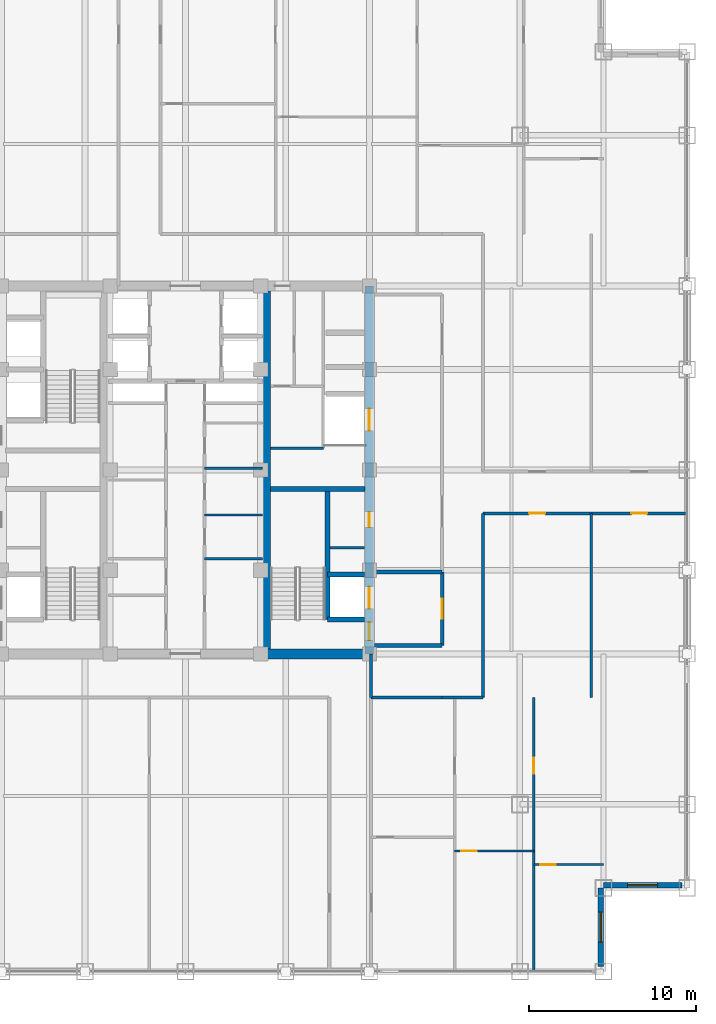
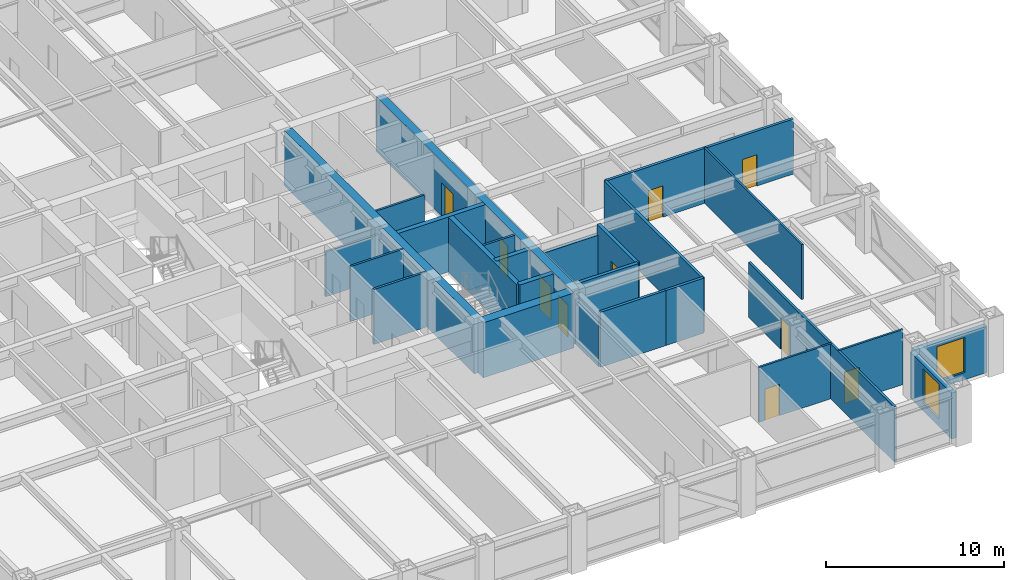
# One storey, part 21 of 25: 26 walls, 10 doors, 2 windows, 12 openings.
"""IFC4 building model written with IfcOpenShell, lengths in metres."""

from ifc_helpers import new_model, si_unit, direction, frame, frame_2d, origin, place, context, subcontext, project, spatial, rectangle, extrude, source, transform, mapped, material, layer, layer_set, type_object, element, fill, save


model = new_model("IFC4")

# Units and contexts
model_context = context("Model", 3, precision=1e-05, world=origin(), true_north=direction((0.0, 1.0)))
body_context = subcontext(model_context, "Body", "Model", "MODEL_VIEW")
ifc_project = project(units=[si_unit("LENGTHUNIT", "METRE"), si_unit("AREAUNIT", "SQUARE_METRE"), si_unit("VOLUMEUNIT", "CUBIC_METRE"), si_unit("PLANEANGLEUNIT", "RADIAN"), si_unit("MASSUNIT", "GRAM", prefix="KILO")], contexts=[model_context])

# Site, building, storey
site_placement = place(None, origin())
site = spatial("IfcSite", under=ifc_project, at=site_placement, CompositionType="ELEMENT")
building_placement = place(site_placement, origin())
building = spatial("IfcBuilding", under=site, at=building_placement, Name="Khorayat Bourse Tower", CompositionType="ELEMENT")
storey_placement = place(building_placement, frame((0.0, 0.0, 247.10009765625)))
storey = spatial("IfcBuildingStorey", under=building, at=storey_placement, Name="L58", CompositionType="ELEMENT", Elevation=247.10009765625)

# Wall
ifc_material_1 = material(Name="Concrete C52/65", Category="concrete")
ifc_layer_1 = layer(ifc_material_1, 0.5)
ifc_layer_set_1 = layer_set([ifc_layer_1], Name="Concrete C52/65")
wall_type_1 = type_object("IfcWallType", Name="WAL-CORE-500", PredefinedType="SHEAR", material=ifc_layer_set_1)
shared_shape_1 = source(origin(), body_context, "Body", "SweptSolid", [
    extrude(rectangle(XDim=21.39990234375, YDim=0.5, at=frame_2d((10.699951171875, 0.0))), origin(), (0.0, 0.0, 1.0), 3.77978515625),
])
wall_1_placement = place(storey_placement, frame((4.85009765625, -10.699951171875, 0.0), z_axis=(0.0, 0.0, 1.0), x_axis=(0.0, 1.0, 0.0)))
element("IfcWall", 1, at=wall_1_placement, inside=storey, type_object=wall_type_1, Name="L58 Core Shear Wall PIER-E", PredefinedType="SHEAR", context=body_context, shape_type="MappedRepresentation", body=[
    mapped(shared_shape_1, transform((0.0, 0.0, 0.0), scale=1.0)),
])

# Wall, openings, doors
shared_shape_2 = source(origin(), body_context, "Body", "SweptSolid", [
    extrude(rectangle(XDim=22.0, YDim=0.5, at=frame_2d((11.0, 0.0))), origin(), (0.0, 0.0, 1.0), 3.77978515625),
])
wall_2_placement = place(storey_placement, frame((11.0, -11.0, 0.0), z_axis=(0.0, 0.0, 1.0), x_axis=(0.0, 1.0, 0.0)))
wall_2 = element("IfcWall", 2, at=wall_2_placement, inside=storey, type_object=wall_type_1, Name="L58 Core Shear Wall CORE-E", PredefinedType="SHEAR", context=body_context, shape_type="MappedRepresentation", body=[
    mapped(shared_shape_2, transform((0.0, 0.0, 0.0), scale=1.0)),
])
shared_shape_3 = source(origin(), body_context, "Body", "SweptSolid", [
    extrude(rectangle(XDim=1.10009765625, YDim=2.199951171875, at=frame_2d((0.550048828125, 1.10009765625))), frame((0.0, 0.260009765625, 0.0), z_axis=(0.0, -1.0, 0.0), x_axis=(1.0, 0.0, 0.0)), (0.0, 0.0, 1.0), 0.52001953125),
])
opening_1_placement = place(wall_2_placement, frame((0.800048828125, 0.0, 0.0)))
opening_1 = element("IfcOpeningElement", 3, at=opening_1_placement, cuts=wall_2, Name="Opening DI-01", PredefinedType="OPENING", context=body_context, shape_type="MappedRepresentation", body=[
    mapped(shared_shape_3, transform((0.0, 0.0, 0.0), scale=1.0)),
])
shared_shape_4 = source(origin(), body_context, "Body", "SweptSolid", [
    extrude(rectangle(XDim=0.89990234375, YDim=2.14990234375, at=frame_2d((0.449951171875, 1.074951171875))), frame((0.0, 0.260009765625, 0.0), z_axis=(0.0, -1.0, 0.0), x_axis=(1.0, 0.0, 0.0)), (0.0, 0.0, 1.0), 0.52001953125),
])
opening_2_placement = place(wall_2_placement, frame((7.574951171875, 0.0, 0.0)))
opening_2 = element("IfcOpeningElement", 4, at=opening_2_placement, cuts=wall_2, Name="Opening DI-06", PredefinedType="OPENING", context=body_context, shape_type="MappedRepresentation", body=[
    mapped(shared_shape_4, transform((0.0, 0.0, 0.0), scale=1.0)),
])
shared_shape_5 = source(origin(), body_context, "Body", "SweptSolid", [
    extrude(rectangle(XDim=1.300048828125, YDim=2.300048828125, at=frame_2d((0.64990234375, 1.14990234375))), frame((0.0, 0.260009765625, 0.0), z_axis=(0.0, -1.0, 0.0), x_axis=(1.0, 0.0, 0.0)), (0.0, 0.0, 1.0), 0.52001953125),
])
opening_3_placement = place(wall_2_placement, frame((2.699951171875, 0.0, 0.0)))
opening_3 = element("IfcOpeningElement", 5, at=opening_3_placement, cuts=wall_2, Name="Opening LD-02", PredefinedType="OPENING", context=body_context, shape_type="MappedRepresentation", body=[
    mapped(shared_shape_5, transform((0.0, 0.0, 0.0), scale=1.0)),
])
opening_4_placement = place(wall_2_placement, frame((13.35009765625, 0.0, 0.0)))
opening_4 = element("IfcOpeningElement", 6, at=opening_4_placement, cuts=wall_2, Name="Opening LD-02", PredefinedType="OPENING", context=body_context, shape_type="MappedRepresentation", body=[
    mapped(shared_shape_5, transform((0.0, 0.0, 0.0), scale=1.0)),
])
ifc_material_2 = material(Name="Fire-rated steel acoustic leaf", Category="steel")
door_type_1 = type_object("IfcDoorType", Name="DR-INT-STAIR-1100", OperationType="NOTDEFINED", PredefinedType="DOOR", material=ifc_material_2)
shared_shape_6 = source(origin(), body_context, "Body", "SweptSolid", [
    extrude(rectangle(XDim=1.10009765625, YDim=2.199951171875, at=frame_2d((0.550048828125, 1.10009765625))), frame((0.0, 0.02490234375, 0.0), z_axis=(0.0, -1.0, 0.0), x_axis=(1.0, 0.0, 0.0)), (0.0, 0.0, 1.0), 0.050048828125),
])
door_1_placement = place(opening_1_placement, origin())
door_1 = element("IfcDoor", 7, at=door_1_placement, inside=storey, type_object=door_type_1, Name="L58 Exit Stair 3 Door", OperationType="SINGLE_SWING_LEFT", OverallHeight=2.199951171875, OverallWidth=1.10009765625, PredefinedType="DOOR", context=body_context, shape_type="MappedRepresentation", body=[
    mapped(shared_shape_6, transform((0.0, 0.0, 0.0), scale=1.0)),
])
fill(opening_1, door_1)
ifc_material_3 = material(Name="Moisture-resistant laminate washroom door")
door_type_2 = type_object("IfcDoorType", Name="DR-INT-WC-900", OperationType="NOTDEFINED", PredefinedType="DOOR", material=ifc_material_3)
shared_shape_7 = source(origin(), body_context, "Body", "SweptSolid", [
    extrude(rectangle(XDim=0.89990234375, YDim=2.14990234375, at=frame_2d((0.449951171875, 1.074951171875))), frame((0.0, 0.02490234375, 0.0), z_axis=(0.0, -1.0, 0.0), x_axis=(1.0, 0.0, 0.0)), (0.0, 0.0, 1.0), 0.050048828125),
])
door_2_placement = place(opening_2_placement, origin())
door_2 = element("IfcDoor", 8, at=door_2_placement, inside=storey, type_object=door_type_2, Name="L58 Fiber Server Plant Room Door", OperationType="SINGLE_SWING_LEFT", OverallHeight=2.14990234375, OverallWidth=0.89990234375, PredefinedType="DOOR", context=body_context, shape_type="MappedRepresentation", body=[
    mapped(shared_shape_7, transform((0.0, 0.0, 0.0), scale=1.0)),
])
fill(opening_2, door_2)
ifc_material_4 = material(Name="Fire-rated stainless-steel sliding landing door", Category="steel")
door_type_3 = type_object("IfcDoorType", Name="DR-LIFT-FF-1300", OperationType="NOTDEFINED", PredefinedType="DOOR", material=ifc_material_4)
shared_shape_8 = source(origin(), body_context, "Body", "SweptSolid", [
    extrude(rectangle(XDim=1.300048828125, YDim=2.300048828125, at=frame_2d((0.64990234375, 1.14990234375))), frame((0.0, 0.02490234375, 0.0), z_axis=(0.0, -1.0, 0.0), x_axis=(1.0, 0.0, 0.0)), (0.0, 0.0, 1.0), 0.050048828125),
])
door_3_placement = place(opening_3_placement, origin())
door_3 = element("IfcDoor", 9, at=door_3_placement, inside=storey, type_object=door_type_3, Name="L58 Lift FFL-02 Sliding Landing Door", OperationType="SLIDING_TO_LEFT", OverallHeight=2.300048828125, OverallWidth=1.300048828125, PredefinedType="DOOR", context=body_context, shape_type="MappedRepresentation", body=[
    mapped(shared_shape_8, transform((0.0, 0.0, 0.0), scale=1.0)),
])
fill(opening_3, door_3)
door_4_placement = place(opening_4_placement, origin())
door_4 = element("IfcDoor", 10, at=door_4_placement, inside=storey, type_object=door_type_3, Name="L58 Lift SVL-01 Sliding Landing Door", OperationType="SLIDING_TO_LEFT", OverallHeight=2.300048828125, OverallWidth=1.300048828125, PredefinedType="DOOR", context=body_context, shape_type="MappedRepresentation", body=[
    mapped(shared_shape_8, transform((0.0, 0.0, 0.0), scale=1.0)),
])
fill(opening_4, door_4)

# Walls
ifc_material_5 = material(Name="Concrete C60/75", Category="concrete")
ifc_layer_2 = layer(ifc_material_5, 0.60009765625)
ifc_layer_set_2 = layer_set([ifc_layer_2], Name="Concrete C60/75")
wall_type_2 = type_object("IfcWallType", Name="WAL-CORE-600", PredefinedType="SHEAR", material=ifc_layer_set_2)
shared_shape_9 = source(origin(), body_context, "Body", "SweptSolid", [
    extrude(rectangle(XDim=5.89990234375, YDim=0.60009765625, at=frame_2d((2.949951171875, 0.0))), origin(), (0.0, 0.0, 1.0), 3.77978515625),
])
wall_3_placement = place(storey_placement, frame((4.85009765625, -11.0, 0.0), z_axis=(0.0, 0.0, 1.0), x_axis=(1.0, 0.0, 0.0)))
element("IfcWall", 11, at=wall_3_placement, inside=storey, type_object=wall_type_2, Name="L58 Core Shear Wall PIER-ES", PredefinedType="SHEAR", context=body_context, shape_type="MappedRepresentation", body=[
    mapped(shared_shape_9, transform((0.0, 0.0, 0.0), scale=1.0)),
])
ifc_material_6 = material(Name="Concrete C50/60", Category="concrete")
ifc_layer_3 = layer(ifc_material_6, 0.300048828125)
ifc_layer_set_3 = layer_set([ifc_layer_3], Name="Concrete C50/60")
wall_type_3 = type_object("IfcWallType", Name="WAL-SHAFT-300", PredefinedType="SHEAR", material=ifc_layer_set_3)
shared_shape_10 = source(origin(), body_context, "Body", "SweptSolid", [
    extrude(rectangle(XDim=5.64990234375, YDim=0.300048828125, at=frame_2d((2.824951171875, 0.0))), origin(), (0.0, 0.0, 1.0), 3.77978515625),
])
wall_4_placement = place(storey_placement, frame((5.10009765625, -1.14990234375, 0.0), z_axis=(0.0, 0.0, 1.0), x_axis=(1.0, 0.0, 0.0)))
element("IfcWall", 12, at=wall_4_placement, inside=storey, type_object=wall_type_3, Name="L58 Core Shear Wall ST3-DIV", PredefinedType="SHEAR", context=body_context, shape_type="MappedRepresentation", body=[
    mapped(shared_shape_10, transform((0.0, 0.0, 0.0), scale=1.0)),
])

# Wall, opening, window
ifc_material_7 = material(Name="Precast concrete C45/55", Category="concrete")
ifc_layer_4 = layer(ifc_material_7, 0.320068359375)
ifc_layer_set_4 = layer_set([ifc_layer_4], Name="Precast concrete C45/55")
wall_type_4 = type_object("IfcWallType", Name="WAL-EXT-STONE-320", PredefinedType="STANDARD", material=ifc_layer_set_4)
shared_shape_11 = source(origin(), body_context, "Body", "SweptSolid", [
    extrude(rectangle(XDim=4.679931640625, YDim=0.320068359375, at=frame_2d((2.33984375, 0.0))), origin(), (0.0, 0.0, 1.0), 3.163818359375),
])
wall_5_placement = place(storey_placement, frame((24.840087890625, -29.679931640625, 0.0), z_axis=(0.0, 0.0, 1.0), x_axis=(0.0, 1.0, 0.0)))
wall_5 = element("IfcWall", 13, at=wall_5_placement, inside=storey, type_object=wall_type_4, Name="L58 Re-Entrant Notch Limestone Wall SE-V", PredefinedType="STANDARD", context=body_context, shape_type="MappedRepresentation", body=[
    mapped(shared_shape_11, transform((0.0, 0.0, 0.0), scale=1.0)),
])
shared_shape_12 = source(origin(), body_context, "Body", "SweptSolid", [
    extrude(rectangle(XDim=1.800048828125, YDim=2.39990234375, at=frame_2d((0.89990234375, 1.199951171875))), frame((0.0, 0.169921875, 0.0), z_axis=(0.0, -1.0, 0.0), x_axis=(1.0, 0.0, 0.0)), (0.0, 0.0, 1.0), 0.340087890625),
])
opening_5_placement = place(wall_5_placement, frame((1.43994140625, 0.0, 0.5)))
opening_5 = element("IfcOpeningElement", 14, at=opening_5_placement, cuts=wall_5, Name="Opening WN-04", PredefinedType="OPENING", context=body_context, shape_type="MappedRepresentation", body=[
    mapped(shared_shape_12, transform((0.0, 0.0, 0.0), scale=1.0)),
])
ifc_material_8 = material(Name="Low-E acoustic laminated double glazing", Category="glass")
window_type = type_object("IfcWindowType", Name="WIN-NOTCH-1800x2400", PartitioningType="SINGLE_PANEL", PredefinedType="WINDOW", material=ifc_material_8)
shared_shape_13 = source(origin(), body_context, "Body", "SweptSolid", [
    extrude(rectangle(XDim=1.800048828125, YDim=2.39990234375, at=frame_2d((0.89990234375, 1.199951171875))), frame((0.0, 0.030029296875, 0.0), z_axis=(0.0, -1.0, 0.0), x_axis=(1.0, 0.0, 0.0)), (0.0, 0.0, 1.0), 0.06005859375),
])
window_1_placement = place(opening_5_placement, origin())
window_1 = element("IfcWindow", 15, at=window_1_placement, inside=storey, type_object=window_type, Name="L58 Facade Window 1", OverallHeight=2.39990234375, OverallWidth=1.800048828125, PartitioningType="SINGLE_PANEL", PredefinedType="WINDOW", context=body_context, shape_type="MappedRepresentation", body=[
    mapped(shared_shape_13, transform((0.0, 0.0, 0.0), scale=1.0)),
])
fill(opening_5, window_1)

wall_6_placement = place(storey_placement, frame((25.0, -24.840087890625, 0.0), z_axis=(0.0, 0.0, 1.0), x_axis=(1.0, 0.0, 0.0)))
wall_6 = element("IfcWall", 16, at=wall_6_placement, inside=storey, type_object=wall_type_4, Name="L58 Re-Entrant Notch Limestone Wall SE-H", PredefinedType="STANDARD", context=body_context, shape_type="MappedRepresentation", body=[
    mapped(shared_shape_11, transform((0.0, 0.0, 0.0), scale=1.0)),
])
opening_6_placement = place(wall_6_placement, frame((1.43994140625, 0.0, 0.5)))
opening_6 = element("IfcOpeningElement", 17, at=opening_6_placement, cuts=wall_6, Name="Opening WN-04", PredefinedType="OPENING", context=body_context, shape_type="MappedRepresentation", body=[
    mapped(shared_shape_12, transform((0.0, 0.0, 0.0), scale=1.0)),
])
window_2_placement = place(opening_6_placement, origin())
window_2 = element("IfcWindow", 18, at=window_2_placement, inside=storey, type_object=window_type, Name="L58 Facade Window 1", OverallHeight=2.39990234375, OverallWidth=1.800048828125, PartitioningType="SINGLE_PANEL", PredefinedType="WINDOW", context=body_context, shape_type="MappedRepresentation", body=[
    mapped(shared_shape_13, transform((0.0, 0.0, 0.0), scale=1.0)),
])
fill(opening_6, window_2)

# Walls
ifc_material_9 = material(Name="Aerated concrete blockwork", Category="masonry")
ifc_layer_5 = layer(ifc_material_9, 0.219970703125)
ifc_layer_set_5 = layer_set([ifc_layer_5], Name="Aerated concrete blockwork")
wall_type_5 = type_object("IfcWallType", Name="WAL-PART-FF-220", PredefinedType="PARTITIONING", material=ifc_layer_set_5)
shared_shape_14 = source(origin(), body_context, "Body", "SweptSolid", [
    extrude(rectangle(XDim=4.050048828125, YDim=0.219970703125, at=frame_2d((2.02490234375, 0.0))), origin(), (0.0, 0.0, 1.0), 3.0849609375),
])
wall_7_placement = place(storey_placement, frame((11.300048828125, -6.10009765625, 0.0), z_axis=(0.0, 0.0, 1.0), x_axis=(1.0, 0.0, 0.0)))
element("IfcWall", 19, at=wall_7_placement, inside=storey, type_object=wall_type_5, Name="L58 Partition WAL-L58-FFLE-N", PredefinedType="PARTITIONING", context=body_context, shape_type="MappedRepresentation", body=[
    mapped(shared_shape_14, transform((0.0, 0.0, 0.0), scale=1.0)),
])
shared_shape_15 = source(origin(), body_context, "Body", "SweptSolid", [
    extrude(rectangle(XDim=7.800048828125, YDim=0.300048828125, at=frame_2d((3.89990234375, 0.0))), origin(), (0.0, 0.0, 1.0), 3.77978515625),
])
wall_8_placement = place(storey_placement, frame((8.5, -8.949951171875, 0.0), z_axis=(0.0, 0.0, 1.0), x_axis=(0.0, 1.0, 0.0)))
element("IfcWall", 20, at=wall_8_placement, inside=storey, type_object=wall_type_3, Name="L58 Partition WAL-L58-EPIER-SP", PredefinedType="SHEAR", context=body_context, shape_type="MappedRepresentation", body=[
    mapped(shared_shape_15, transform((0.0, 0.0, 0.0), scale=1.0)),
])
shared_shape_16 = source(origin(), body_context, "Body", "SweptSolid", [
    extrude(rectangle(XDim=2.199951171875, YDim=0.300048828125, at=frame_2d((1.10009765625, 0.0))), origin(), (0.0, 0.0, 1.0), 3.77978515625),
])
for number, where, z_axis, x_axis, name in (
    (21, (8.5, -8.949951171875, 0.0), (0.0, 0.0, 1.0), (1.0, 0.0, 0.0), "L58 Partition WAL-L58-EPIER-FF2S"),
    (22, (8.5, -6.25, 0.0), (0.0, 0.0, 1.0), (1.0, 0.0, 0.0), "L58 Partition WAL-L58-EPIER-FF2N"),
):
    element("IfcWall", number, at=place(storey_placement, frame(where, z_axis=z_axis, x_axis=x_axis)), inside=storey, type_object=wall_type_3, Name=name, PredefinedType="SHEAR", context=body_context, shape_type="MappedRepresentation", body=[
        mapped(shared_shape_16, transform((0.0, 0.0, 0.0), scale=1.0)),
    ])
ifc_material_10 = material(Name="Gypsum plasterboard twin-frame partition")
ifc_layer_6 = layer(ifc_material_10, 0.14990234375)
ifc_layer_set_6 = layer_set([ifc_layer_6], Name="Gypsum plasterboard twin-frame partition")
wall_type_6 = type_object("IfcWallType", Name="WAL-PART-SUITE-150", PredefinedType="PARTITIONING", material=ifc_layer_set_6)
shared_shape_17 = source(origin(), body_context, "Body", "SweptSolid", [
    extrude(rectangle(XDim=2.050048828125, YDim=0.14990234375, at=frame_2d((1.02490234375, 0.0))), origin(), (0.0, 0.0, 1.0), 3.77978515625),
])
wall_9_placement = place(storey_placement, frame((8.64990234375, -4.64990234375, 0.0), z_axis=(0.0, 0.0, 1.0), x_axis=(1.0, 0.0, 0.0)))
element("IfcWall", 23, at=wall_9_placement, inside=storey, type_object=wall_type_6, Name="L58 Partition WAL-L58-ESRV-S0", PredefinedType="PARTITIONING", context=body_context, shape_type="MappedRepresentation", body=[
    mapped(shared_shape_17, transform((0.0, 0.0, 0.0), scale=1.0)),
])
ifc_material_11 = material(Name="Moisture-resistant masonry partition", Category="masonry")
ifc_layer_7 = layer(ifc_material_11, 0.139892578125)
ifc_layer_set_7 = layer_set([ifc_layer_7], Name="Moisture-resistant masonry partition")
wall_type_7 = type_object("IfcWallType", Name="WAL-PART-WET-140", PredefinedType="PARTITIONING", material=ifc_layer_set_7)
shared_shape_18 = source(origin(), body_context, "Body", "SweptSolid", [
    extrude(rectangle(XDim=3.14990234375, YDim=0.139892578125, at=frame_2d((1.574951171875, 0.0))), origin(), (0.0, 0.0, 1.0), 3.77978515625),
])
wall_10_placement = place(storey_placement, frame((5.10009765625, 1.300048828125, 0.0), z_axis=(0.0, 0.0, 1.0), x_axis=(1.0, 0.0, 0.0)))
element("IfcWall", 24, at=wall_10_placement, inside=storey, type_object=wall_type_7, Name="L58 Partition WAL-L58-ECORE-S", PredefinedType="PARTITIONING", context=body_context, shape_type="MappedRepresentation", body=[
    mapped(shared_shape_18, transform((0.0, 0.0, 0.0), scale=1.0)),
])
shared_shape_19 = source(origin(), body_context, "Body", "SweptSolid", [
    extrude(rectangle(XDim=4.050048828125, YDim=0.219970703125, at=frame_2d((2.02490234375, 0.0))), origin(), (0.0, 0.0, 1.0), 3.77978515625),
])
wall_11_placement = place(storey_placement, frame((11.300048828125, -10.5, 0.0), z_axis=(0.0, 0.0, 1.0), x_axis=(1.0, 0.0, 0.0)))
element("IfcWall", 25, at=wall_11_placement, inside=storey, type_object=wall_type_5, Name="L58 Partition WAL-L58-FFLE-S", PredefinedType="PARTITIONING", context=body_context, shape_type="MappedRepresentation", body=[
    mapped(shared_shape_19, transform((0.0, 0.0, 0.0), scale=1.0)),
])

# Wall, opening, door
shared_shape_20 = source(origin(), body_context, "Body", "SweptSolid", [
    extrude(rectangle(XDim=4.39990234375, YDim=0.219970703125, at=frame_2d((2.199951171875, 0.0))), origin(), (0.0, 0.0, 1.0), 3.77978515625),
])
wall_12_placement = place(storey_placement, frame((15.35009765625, -10.5, 0.0), z_axis=(0.0, 0.0, 1.0), x_axis=(0.0, 1.0, 0.0)))
wall_12 = element("IfcWall", 26, at=wall_12_placement, inside=storey, type_object=wall_type_5, Name="L58 Partition WAL-L58-FFLE-E", PredefinedType="PARTITIONING", context=body_context, shape_type="MappedRepresentation", body=[
    mapped(shared_shape_20, transform((0.0, 0.0, 0.0), scale=1.0)),
])
shared_shape_21 = source(origin(), body_context, "Body", "SweptSolid", [
    extrude(rectangle(XDim=1.199951171875, YDim=2.199951171875, at=frame_2d((0.60009765625, 1.10009765625))), frame((0.0, 0.119873046875, 0.0), z_axis=(0.0, -1.0, 0.0), x_axis=(1.0, 0.0, 0.0)), (0.0, 0.0, 1.0), 0.239990234375),
])
opening_7_placement = place(wall_12_placement, frame((1.60009765625, 0.0, 0.0)))
opening_7 = element("IfcOpeningElement", 27, at=opening_7_placement, cuts=wall_12, Name="Opening DI-02", PredefinedType="OPENING", context=body_context, shape_type="MappedRepresentation", body=[
    mapped(shared_shape_21, transform((0.0, 0.0, 0.0), scale=1.0)),
])
ifc_material_12 = material(Name="Fire-rated steel double-seal leaf", Category="steel")
door_type_4 = type_object("IfcDoorType", Name="DR-INT-FFLOBBY-1200", OperationType="NOTDEFINED", PredefinedType="DOOR", material=ifc_material_12)
shared_shape_22 = source(origin(), body_context, "Body", "SweptSolid", [
    extrude(rectangle(XDim=1.199951171875, YDim=2.199951171875, at=frame_2d((0.60009765625, 1.10009765625))), frame((0.0, 0.02490234375, 0.0), z_axis=(0.0, -1.0, 0.0), x_axis=(1.0, 0.0, 0.0)), (0.0, 0.0, 1.0), 0.050048828125),
])
door_5_placement = place(opening_7_placement, origin())
door_5 = element("IfcDoor", 28, at=door_5_placement, inside=storey, type_object=door_type_4, Name="L58 East Firefighting Lobby Door", OperationType="SINGLE_SWING_RIGHT", OverallHeight=2.199951171875, OverallWidth=1.199951171875, PredefinedType="DOOR", context=body_context, shape_type="MappedRepresentation", body=[
    mapped(shared_shape_22, transform((0.0, 0.0, 0.0), scale=1.0)),
])
fill(opening_7, door_5)

# Walls
shared_shape_23 = source(origin(), body_context, "Body", "SweptSolid", [
    extrude(rectangle(XDim=3.4501953125, YDim=0.14990234375, at=frame_2d((1.72509765625, 0.0))), origin(), (0.0, 0.0, 1.0), 3.77978515625),
])
wall_13_placement = place(storey_placement, frame((1.14990234375, -5.300048828125, 0.0), z_axis=(0.0, 0.0, 1.0), x_axis=(1.0, 0.0, 0.0)))
element("IfcWall", 29, at=wall_13_placement, inside=storey, type_object=wall_type_6, Name="L58 Partition WAL-L58-FB1-NE", PredefinedType="PARTITIONING", context=body_context, shape_type="MappedRepresentation", body=[
    mapped(shared_shape_23, transform((0.0, 0.0, 0.0), scale=1.0)),
])
shared_shape_24 = source(origin(), body_context, "Body", "SweptSolid", [
    extrude(rectangle(XDim=3.4501953125, YDim=0.139892578125, at=frame_2d((1.72509765625, 0.0))), origin(), (0.0, 0.0, 1.0), 3.77978515625),
])
wall_14_placement = place(storey_placement, frame((1.14990234375, -2.699951171875, 0.0), z_axis=(0.0, 0.0, 1.0), x_axis=(1.0, 0.0, 0.0)))
element("IfcWall", 30, at=wall_14_placement, inside=storey, type_object=wall_type_7, Name="L58 Partition WAL-L58-CME-D1", PredefinedType="PARTITIONING", context=body_context, shape_type="MappedRepresentation", body=[
    mapped(shared_shape_24, transform((0.0, 0.0, 0.0), scale=1.0)),
])
shared_shape_25 = source(origin(), body_context, "Body", "SweptSolid", [
    extrude(rectangle(XDim=3.4501953125, YDim=0.139892578125, at=frame_2d((1.72509765625, 0.0))), origin(), (0.0, 0.0, 1.0), 3.0849609375),
])
wall_15_placement = place(storey_placement, frame((1.14990234375, 0.10009765625, 0.0), z_axis=(0.0, 0.0, 1.0), x_axis=(1.0, 0.0, 0.0)))
element("IfcWall", 31, at=wall_15_placement, inside=storey, type_object=wall_type_7, Name="L58 Partition WAL-L58-CME-D2", PredefinedType="PARTITIONING", context=body_context, shape_type="MappedRepresentation", body=[
    mapped(shared_shape_25, transform((0.0, 0.0, 0.0), scale=1.0)),
])
ifc_material_13 = material(Name="Gypsum plasterboard acoustic stud wall")
ifc_layer_8 = layer(ifc_material_13, 0.179931640625)
ifc_layer_set_8 = layer_set([ifc_layer_8], Name="Gypsum plasterboard acoustic stud wall")
wall_type_8 = type_object("IfcWallType", Name="WAL-PART-CORR-180", PredefinedType="PARTITIONING", material=ifc_layer_set_8)
shared_shape_26 = source(origin(), body_context, "Body", "SweptSolid", [
    extrude(rectangle(XDim=2.449951171875, YDim=0.179931640625, at=frame_2d((1.22509765625, 0.0))), origin(), (0.0, 0.0, 1.0), 3.77978515625),
])
wall_16_placement = place(storey_placement, frame((15.35009765625, -13.60009765625, 0.0), z_axis=(0.0, 0.0, 1.0), x_axis=(1.0, 0.0, 0.0)))
element("IfcWall", 32, at=wall_16_placement, inside=storey, type_object=wall_type_8, Name="L58 Partition WAL-L58-C2-ES", PredefinedType="PARTITIONING", context=body_context, shape_type="MappedRepresentation", body=[
    mapped(shared_shape_26, transform((0.0, 0.0, 0.0), scale=1.0)),
])
ifc_material_14 = material(Name="Gypsum plasterboard partition")
ifc_layer_9 = layer(ifc_material_14, 0.125)
ifc_layer_set_9 = layer_set([ifc_layer_9], Name="Gypsum plasterboard partition")
wall_type_9 = type_object("IfcWallType", Name="WAL-PART-ROOM-125", PredefinedType="PARTITIONING", material=ifc_layer_set_9)
shared_shape_27 = source(origin(), body_context, "Body", "SweptSolid", [
    extrude(rectangle(XDim=11.0, YDim=0.125, at=frame_2d((5.5, 0.0))), origin(), (0.0, 0.0, 1.0), 3.77978515625),
])
wall_17_placement = place(storey_placement, frame((24.26611328125, -13.60009765625, 0.0), z_axis=(0.0, 0.0, 1.0), x_axis=(0.0, 1.0, 0.0)))
element("IfcWall", 33, at=wall_17_placement, inside=storey, type_object=wall_type_9, Name="L58 Partition WAL-L58-ES-DV", PredefinedType="PARTITIONING", context=body_context, shape_type="MappedRepresentation", body=[
    mapped(shared_shape_27, transform((0.0, 0.0, 0.0), scale=1.0)),
])

# Wall, openings, doors
shared_shape_28 = source(origin(), body_context, "Body", "SweptSolid", [
    extrude(rectangle(XDim=12.199951171875, YDim=0.179931640625, at=frame_2d((6.10009765625, 0.0))), origin(), (0.0, 0.0, 1.0), 3.77978515625),
])
wall_18_placement = place(storey_placement, frame((17.800048828125, -2.60009765625, 0.0), z_axis=(0.0, 0.0, 1.0), x_axis=(1.0, 0.0, 0.0)))
wall_18 = element("IfcWall", 34, at=wall_18_placement, inside=storey, type_object=wall_type_8, Name="L58 Partition WAL-L58-ES-SPK", PredefinedType="PARTITIONING", context=body_context, shape_type="MappedRepresentation", body=[
    mapped(shared_shape_28, transform((0.0, 0.0, 0.0), scale=1.0)),
])
shared_shape_29 = source(origin(), body_context, "Body", "SweptSolid", [
    extrude(rectangle(XDim=0.949951171875, YDim=2.14990234375, at=frame_2d((0.47509765625, 1.074951171875))), frame((0.0, 0.099853515625, 0.0), z_axis=(0.0, -1.0, 0.0), x_axis=(1.0, 0.0, 0.0)), (0.0, 0.0, 1.0), 0.199951171875),
])
opening_8_placement = place(wall_18_placement, frame((2.758056640625, 0.0, 0.0)))
opening_8 = element("IfcOpeningElement", 35, at=opening_8_placement, cuts=wall_18, Name="Opening DI-05", PredefinedType="OPENING", context=body_context, shape_type="MappedRepresentation", body=[
    mapped(shared_shape_29, transform((0.0, 0.0, 0.0), scale=1.0)),
])
opening_9_placement = place(wall_18_placement, frame((8.85791015625, 0.0, 0.0)))
opening_9 = element("IfcOpeningElement", 36, at=opening_9_placement, cuts=wall_18, Name="Opening DI-05", PredefinedType="OPENING", context=body_context, shape_type="MappedRepresentation", body=[
    mapped(shared_shape_29, transform((0.0, 0.0, 0.0), scale=1.0)),
])
ifc_material_15 = material(Name="Acoustic oak veneer office door")
door_type_5 = type_object("IfcDoorType", Name="DR-INT-OFFICE-950", OperationType="NOTDEFINED", PredefinedType="DOOR", material=ifc_material_15)
shared_shape_30 = source(origin(), body_context, "Body", "SweptSolid", [
    extrude(rectangle(XDim=0.949951171875, YDim=2.14990234375, at=frame_2d((0.47509765625, 1.074951171875))), frame((0.0, 0.02490234375, 0.0), z_axis=(0.0, -1.0, 0.0), x_axis=(1.0, 0.0, 0.0)), (0.0, 0.0, 1.0), 0.050048828125),
])
door_6_placement = place(opening_8_placement, origin())
door_6 = element("IfcDoor", 37, at=door_6_placement, inside=storey, type_object=door_type_5, Name="L58 Occupational First Aid Clinic ESA Door", OperationType="SINGLE_SWING_LEFT", OverallHeight=2.14990234375, OverallWidth=0.949951171875, PredefinedType="DOOR", context=body_context, shape_type="MappedRepresentation", body=[
    mapped(shared_shape_30, transform((0.0, 0.0, 0.0), scale=1.0)),
])
fill(opening_8, door_6)
door_7_placement = place(opening_9_placement, origin())
door_7 = element("IfcDoor", 38, at=door_7_placement, inside=storey, type_object=door_type_5, Name="L58 Clearing Records Archive Store ESB Door", OperationType="SINGLE_SWING_RIGHT", OverallHeight=2.14990234375, OverallWidth=0.949951171875, PredefinedType="DOOR", context=body_context, shape_type="MappedRepresentation", body=[
    mapped(shared_shape_30, transform((0.0, 0.0, 0.0), scale=1.0)),
])
fill(opening_9, door_7)

# Wall, opening, door
shared_shape_31 = source(origin(), body_context, "Body", "SweptSolid", [
    extrude(rectangle(XDim=16.39990234375, YDim=0.14990234375, at=frame_2d((8.199951171875, 0.0))), origin(), (0.0, 0.0, 1.0), 3.77978515625),
])
wall_19_placement = place(storey_placement, frame((20.830078125, -30.0, 0.0), z_axis=(0.0, 0.0, 1.0), x_axis=(0.0, 1.0, 0.0)))
wall_19 = element("IfcWall", 39, at=wall_19_placement, inside=storey, type_object=wall_type_6, Name="L58 Partition WAL-L58-QSEDV-2", PredefinedType="PARTITIONING", context=body_context, shape_type="MappedRepresentation", body=[
    mapped(shared_shape_31, transform((0.0, 0.0, 0.0), scale=1.0)),
])
shared_shape_32 = source(origin(), body_context, "Body", "SweptSolid", [
    extrude(rectangle(XDim=0.949951171875, YDim=2.14990234375, at=frame_2d((0.47509765625, 1.074951171875))), frame((0.0, 0.0849609375, 0.0), z_axis=(0.0, -1.0, 0.0), x_axis=(1.0, 0.0, 0.0)), (0.0, 0.0, 1.0), 0.169921875),
])
opening_10_placement = place(wall_19_placement, frame((11.824951171875, 0.0, 0.0)))
opening_10 = element("IfcOpeningElement", 40, at=opening_10_placement, cuts=wall_19, Name="Opening DI-05", PredefinedType="OPENING", context=body_context, shape_type="MappedRepresentation", body=[
    mapped(shared_shape_32, transform((0.0, 0.0, 0.0), scale=1.0)),
])
door_8_placement = place(opening_10_placement, origin())
door_8 = element("IfcDoor", 41, at=door_8_placement, inside=storey, type_object=door_type_5, Name="L58 South-East Suite Link 2", OperationType="SINGLE_SWING_LEFT", OverallHeight=2.14990234375, OverallWidth=0.949951171875, PredefinedType="DOOR", context=body_context, shape_type="MappedRepresentation", body=[
    mapped(shared_shape_30, transform((0.0, 0.0, 0.0), scale=1.0)),
])
fill(opening_10, door_8)

# Walls
shared_shape_33 = source(origin(), body_context, "Body", "SweptSolid", [
    extrude(rectangle(XDim=4.25, YDim=0.179931640625, at=frame_2d((2.125, 0.0))), origin(), (0.0, 0.0, 1.0), 3.77978515625),
])
wall_20_placement = place(storey_placement, frame((11.10009765625, -13.60009765625, 0.0), z_axis=(0.0, 0.0, 1.0), x_axis=(1.0, 0.0, 0.0)))
element("IfcWall", 42, at=wall_20_placement, inside=storey, type_object=wall_type_8, Name="L58 Partition WAL-L58-QSE-HC", PredefinedType="PARTITIONING", context=body_context, shape_type="MappedRepresentation", body=[
    mapped(shared_shape_33, transform((0.0, 0.0, 0.0), scale=1.0)),
])
shared_shape_34 = source(origin(), body_context, "Body", "SweptSolid", [
    extrude(rectangle(XDim=2.60009765625, YDim=0.179931640625, at=frame_2d((1.300048828125, 0.0))), origin(), (0.0, 0.0, 1.0), 3.0849609375),
])
wall_21_placement = place(storey_placement, frame((11.10009765625, -13.60009765625, 0.0), z_axis=(0.0, 0.0, 1.0), x_axis=(0.0, 1.0, 0.0)))
element("IfcWall", 43, at=wall_21_placement, inside=storey, type_object=wall_type_8, Name="L58 Partition WAL-L58-C2-SCE", PredefinedType="PARTITIONING", context=body_context, shape_type="MappedRepresentation", body=[
    mapped(shared_shape_34, transform((0.0, 0.0, 0.0), scale=1.0)),
])

# Wall, opening, door
shared_shape_35 = source(origin(), body_context, "Body", "SweptSolid", [
    extrude(rectangle(XDim=4.72607421875, YDim=0.125, at=frame_2d((2.363037109375, 0.0))), origin(), (0.0, 0.0, 1.0), 3.77978515625),
])
wall_22_placement = place(storey_placement, frame((16.10400390625, -22.783935546875, 0.0), z_axis=(0.0, 0.0, 1.0), x_axis=(1.0, 0.0, 0.0)))
wall_22 = element("IfcWall", 44, at=wall_22_placement, inside=storey, type_object=wall_type_9, Name="L58 Partition WAL-L58-QSEDP-2", PredefinedType="PARTITIONING", context=body_context, shape_type="MappedRepresentation", body=[
    mapped(shared_shape_35, transform((0.0, 0.0, 0.0), scale=1.0)),
])
shared_shape_36 = source(origin(), body_context, "Body", "SweptSolid", [
    extrude(rectangle(XDim=0.949951171875, YDim=2.14990234375, at=frame_2d((0.47509765625, 1.074951171875))), frame((0.0, 0.072509765625, 0.0), z_axis=(0.0, -1.0, 0.0), x_axis=(1.0, 0.0, 0.0)), (0.0, 0.0, 1.0), 0.14501953125),
])
opening_11_placement = place(wall_22_placement, frame((0.375, 0.0, 0.0)))
opening_11 = element("IfcOpeningElement", 45, at=opening_11_placement, cuts=wall_22, Name="Opening DI-05", PredefinedType="OPENING", context=body_context, shape_type="MappedRepresentation", body=[
    mapped(shared_shape_36, transform((0.0, 0.0, 0.0), scale=1.0)),
])
door_9_placement = place(opening_11_placement, origin())
door_9 = element("IfcDoor", 46, at=door_9_placement, inside=storey, type_object=door_type_5, Name="L58 South-East Members Club Room 2B Door", OperationType="SINGLE_SWING_LEFT", OverallHeight=2.14990234375, OverallWidth=0.949951171875, PredefinedType="DOOR", context=body_context, shape_type="MappedRepresentation", body=[
    mapped(shared_shape_30, transform((0.0, 0.0, 0.0), scale=1.0)),
])
fill(opening_11, door_9)

shared_shape_37 = source(origin(), body_context, "Body", "SweptSolid", [
    extrude(rectangle(XDim=4.169921875, YDim=0.125, at=frame_2d((2.0849609375, 0.0))), origin(), (0.0, 0.0, 1.0), 3.77978515625),
])
wall_23_placement = place(storey_placement, frame((20.830078125, -23.60400390625, 0.0), z_axis=(0.0, 0.0, 1.0), x_axis=(1.0, 0.0, 0.0)))
wall_23 = element("IfcWall", 47, at=wall_23_placement, inside=storey, type_object=wall_type_9, Name="L58 Partition WAL-L58-QSEDP-3", PredefinedType="PARTITIONING", context=body_context, shape_type="MappedRepresentation", body=[
    mapped(shared_shape_37, transform((0.0, 0.0, 0.0), scale=1.0)),
])
opening_12_placement = place(wall_23_placement, frame((0.375, 0.0, 0.0)))
opening_12 = element("IfcOpeningElement", 48, at=opening_12_placement, cuts=wall_23, Name="Opening DI-05", PredefinedType="OPENING", context=body_context, shape_type="MappedRepresentation", body=[
    mapped(shared_shape_36, transform((0.0, 0.0, 0.0), scale=1.0)),
])
door_10_placement = place(opening_12_placement, origin())
door_10 = element("IfcDoor", 49, at=door_10_placement, inside=storey, type_object=door_type_5, Name="L58 South-East Clearing Records Archive Store 3B Door", OperationType="SINGLE_SWING_RIGHT", OverallHeight=2.14990234375, OverallWidth=0.949951171875, PredefinedType="DOOR", context=body_context, shape_type="MappedRepresentation", body=[
    mapped(shared_shape_30, transform((0.0, 0.0, 0.0), scale=1.0)),
])
fill(opening_12, door_10)

# Wall
shared_shape_38 = source(origin(), body_context, "Body", "SweptSolid", [
    extrude(rectangle(XDim=11.0, YDim=0.179931640625, at=frame_2d((5.5, 0.0))), origin(), (0.0, 0.0, 1.0), 3.77978515625),
])
wall_24_placement = place(storey_placement, frame((17.800048828125, -13.60009765625, 0.0), z_axis=(0.0, 0.0, 1.0), x_axis=(0.0, 1.0, 0.0)))
element("IfcWall", 50, at=wall_24_placement, inside=storey, type_object=wall_type_8, Name="L58 Partition WAL-L58-ES-IN", PredefinedType="PARTITIONING", context=body_context, shape_type="MappedRepresentation", body=[
    mapped(shared_shape_38, transform((0.0, 0.0, 0.0), scale=1.0)),
])

save(model, "model.ifc")
